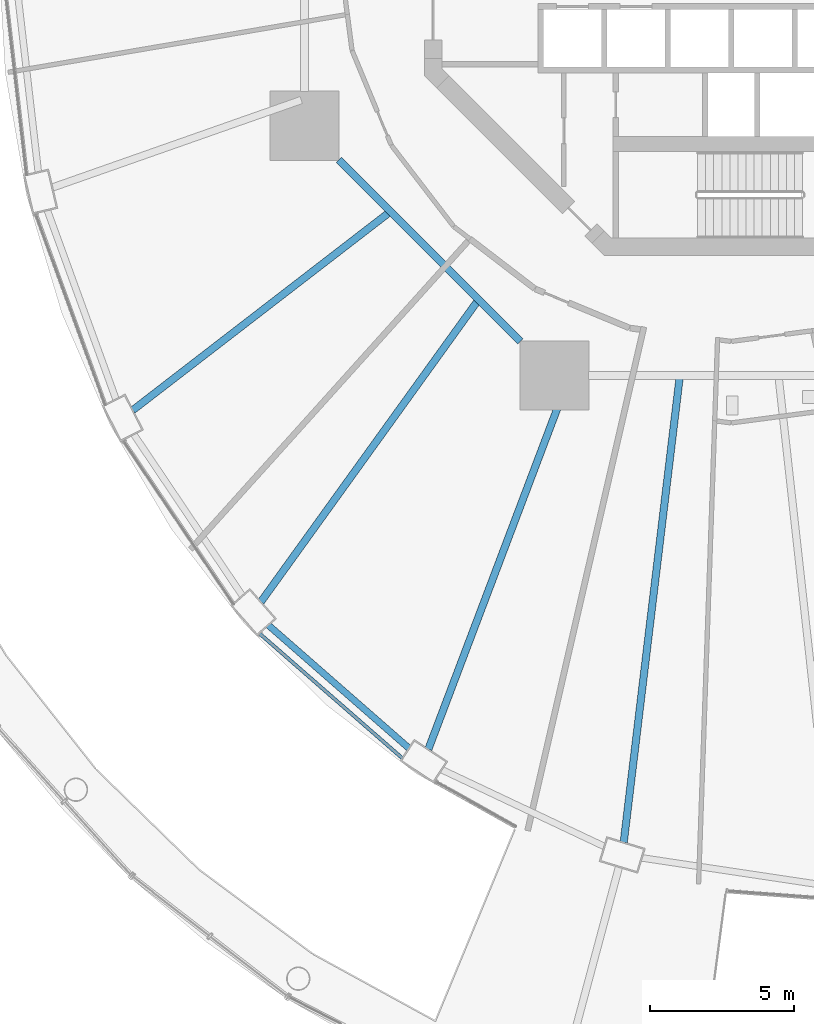
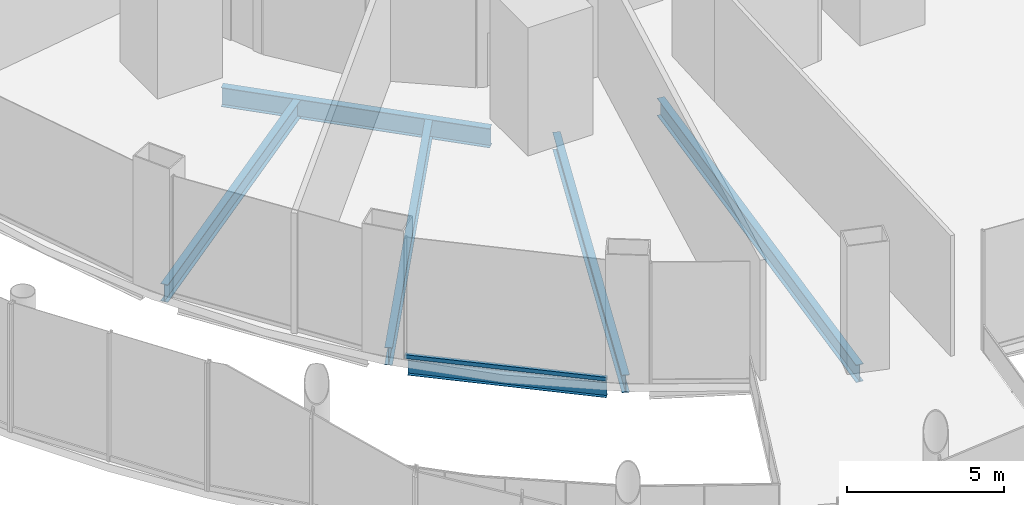
# One storey, part 7 of 47: 6 beams, 1 member, 1 element without a shape of its own.
"""IFC4 building model written with IfcOpenShell, lengths in metres."""

from ifc_helpers import new_model, si_unit, direction, frame, origin, origin_2d, place, context, subcontext, project, spatial, hollow_rectangle, i_section, extrude, material, layer, layer_set, material_profile, profile_set, type_object, element, aggregate, save


model = new_model("IFC4")

# Units and contexts
model_context = context("Model", 3, precision=1e-05, world=origin(), true_north=direction((0.0, 1.0)))
body_context = subcontext(model_context, "Body", "Model", "MODEL_VIEW")
ifc_project = project(units=[si_unit("LENGTHUNIT", "METRE"), si_unit("AREAUNIT", "SQUARE_METRE"), si_unit("VOLUMEUNIT", "CUBIC_METRE"), si_unit("PLANEANGLEUNIT", "RADIAN"), si_unit("MASSUNIT", "GRAM", prefix="KILO")], contexts=[model_context])

# Site, building, storey
site_placement = place(None, origin())
site = spatial("IfcSite", under=ifc_project, at=site_placement, CompositionType="ELEMENT")
building_placement = place(site_placement, origin())
building = spatial("IfcBuilding", under=site, at=building_placement, Name="Nagisa Residences", CompositionType="ELEMENT")
storey_placement = place(building_placement, frame((0.0, 0.0, 17.0)))
storey = spatial("IfcBuildingStorey", under=building, at=storey_placement, Name="L03", CompositionType="ELEMENT", Elevation=17.0)

# Curtain wall, member
ifc_material_1 = material(Name="Stainless steel curtain wall system", Category="steel")
ifc_layer = layer(ifc_material_1, 0.159912109375)
ifc_layer_set = layer_set([ifc_layer], Name="CW6 CURTAIN WALL")
curtain_wall_type = type_object("IfcCurtainWallType", Name="CW6 CURTAIN WALL", PredefinedType="NOTDEFINED", material=ifc_layer_set)
curtain_wall_placement = place(storey_placement, origin())
curtain_wall = element("IfcCurtainWall", 1, at=curtain_wall_placement, inside=storey, type_object=curtain_wall_type, Name="cw:CW6:L03:30", PredefinedType="NOTDEFINED")
ifc_material_2 = material(Name="Stainless steel", Category="steel")
ifc_material_profile_1 = material_profile(ifc_material_2, hollow_rectangle(XDim=0.1201171875, YDim=0.14990234375, WallThickness=0.008056640625, at=origin_2d()), Name="CW6 TRANSOM 120x150")
ifc_profile_set_1 = profile_set([ifc_material_profile_1], Name="Stainless steel")
member_type = type_object("IfcMemberType", Name="CW6 TRANSOM 120x150", PredefinedType="USERDEFINED", material=ifc_profile_set_1)
member_placement = place(storey_placement, frame((-16.326171875, -23.734619140625, 0.074951171875), z_axis=(0.753255020636, -0.657728571591, 0.0), x_axis=(0.657728571591, 0.753255020636, 0.0)))
member = element("IfcMember", 2, at=member_placement, type_object=member_type, Name="CW6 transom", ObjectType="TRANSOM", PredefinedType="USERDEFINED", context=body_context, shape_type="SweptSolid", body=[
    extrude(hollow_rectangle(XDim=0.1201171875, YDim=0.14990234375, WallThickness=0.008056640625, at=origin_2d()), origin(), (0.0, 0.0, 1.0), 6.5732421875),
])
aggregate(curtain_wall, [member])

# Beams
ifc_material_3 = material(Name="Steel ASTM A572 Gr 50", Category="steel")
ifc_material_profile_2 = material_profile(ifc_material_3, i_section(OverallWidth=0.264892578125, OverallDepth=0.7529296875, WebThickness=0.01318359375, FlangeThickness=0.01708984375, at=origin_2d()), Name="W760x147")
ifc_profile_set_2 = profile_set([ifc_material_profile_2], Name="Steel ASTM A572 Gr 50")
beam_type_1 = type_object("IfcBeamType", Name="Inner ring beam W760x147", PredefinedType="BEAM", material=ifc_profile_set_2)
beam_1_placement = place(storey_placement, frame((-13.59619140625, -7.308837890625, -0.676513671875), z_axis=(0.707106781187, -0.707106781187, 0.0), x_axis=(0.707106781187, 0.707106781187, 0.0)))
element("IfcBeam", 3, at=beam_1_placement, inside=storey, type_object=beam_type_1, Name="beam:L03:ib5", PredefinedType="BEAM", context=body_context, shape_type="SweptSolid", body=[
    extrude(i_section(OverallWidth=0.264892578125, OverallDepth=0.7529296875, WebThickness=0.01318359375, FlangeThickness=0.01708984375, at=origin_2d()), origin(), (0.0, 0.0, 1.0), 8.8916015625),
])
ifc_material_4 = material(Name="Steel ASTM A572 Gr 50", Category="steel")
ifc_material_profile_3 = material_profile(ifc_material_4, i_section(OverallWidth=0.22802734375, OverallDepth=0.60302734375, WebThickness=0.010498046875, FlangeThickness=0.014892578125, at=origin_2d()), Name="W610x101")
ifc_profile_set_3 = profile_set([ifc_material_profile_3], Name="Steel ASTM A572 Gr 50")
beam_type_2 = type_object("IfcBeamType", Name="Perimeter ring beam W610x101", PredefinedType="BEAM", material=ifc_profile_set_3)
beam_2_placement = place(storey_placement, frame((-16.0361328125, -23.432861328125, -0.6015625), z_axis=(0.752574357292, -0.658507279191, 0.0), x_axis=(0.658507279191, 0.752574357292, 0.0)))
element("IfcBeam", 4, at=beam_2_placement, inside=storey, type_object=beam_type_2, Name="beam:L03:pb16", PredefinedType="BEAM", context=body_context, shape_type="SweptSolid", body=[
    extrude(i_section(OverallWidth=0.22802734375, OverallDepth=0.60302734375, WebThickness=0.010498046875, FlangeThickness=0.014892578125, at=origin_2d()), origin(), (0.0, 0.0, 1.0), 6.47021484375),
])
ifc_material_5 = material(Name="Steel ASTM A572 Gr 50", Category="steel")
ifc_material_profile_4 = material_profile(ifc_material_5, i_section(OverallWidth=0.25390625, OverallDepth=0.68408203125, WebThickness=0.012451171875, FlangeThickness=0.018798828125, at=origin_2d()), Name="W690x140")
ifc_profile_set_4 = profile_set([ifc_material_profile_4], Name="Steel ASTM A572 Gr 50")
beam_type_3 = type_object("IfcBeamType", Name="Radial beam W690x140", PredefinedType="BEAM", material=ifc_profile_set_4)
beam_3_placement = place(storey_placement, frame((-20.73486328125, -15.982666015625, -0.64208984375), z_axis=(0.792016146736, 0.610500141941, 0.0), x_axis=(-0.610500141941, 0.792016146736, 0.0)))
element("IfcBeam", 5, at=beam_3_placement, inside=storey, type_object=beam_type_3, Name="beam:L03:rb15", PredefinedType="BEAM", context=body_context, shape_type="SweptSolid", body=[
    extrude(i_section(OverallWidth=0.25390625, OverallDepth=0.68408203125, WebThickness=0.012451171875, FlangeThickness=0.018798828125, at=origin_2d()), origin(), (0.0, 0.0, 1.0), 11.160888671875),
])
beam_4_placement = place(storey_placement, frame((-16.29443359375, -22.62255859375, -0.64208984375), z_axis=(0.58445507622, 0.811426068031, 0.0), x_axis=(-0.811426068031, 0.58445507622, 0.0)))
element("IfcBeam", 6, at=beam_4_placement, inside=storey, type_object=beam_type_3, Name="beam:L03:rb16", PredefinedType="BEAM", context=body_context, shape_type="SweptSolid", body=[
    extrude(i_section(OverallWidth=0.25390625, OverallDepth=0.68408203125, WebThickness=0.012451171875, FlangeThickness=0.018798828125, at=origin_2d()), origin(), (0.0, 0.0, 1.0), 12.78955078125),
])
beam_5_placement = place(storey_placement, frame((-10.493896484375, -27.7333984375, -0.64208984375), z_axis=(0.353887892206, 0.935287848606, 0.0), x_axis=(-0.935287848606, 0.353887892206, 0.0)))
element("IfcBeam", 7, at=beam_5_placement, inside=storey, type_object=beam_type_3, Name="beam:L03:rb17", PredefinedType="BEAM", context=body_context, shape_type="SweptSolid", body=[
    extrude(i_section(OverallWidth=0.25390625, OverallDepth=0.68408203125, WebThickness=0.012451171875, FlangeThickness=0.018798828125, at=origin_2d()), origin(), (0.0, 0.0, 1.0), 13.725830078125),
])
beam_6_placement = place(storey_placement, frame((-3.72412109375, -30.958740234375, -0.64208984375), z_axis=(0.119431411612, 0.992842453726, 0.0), x_axis=(-0.992842453726, 0.119431411612, 0.0)))
element("IfcBeam", 8, at=beam_6_placement, inside=storey, type_object=beam_type_3, Name="beam:L03:rb18", PredefinedType="BEAM", context=body_context, shape_type="SweptSolid", body=[
    extrude(i_section(OverallWidth=0.25390625, OverallDepth=0.68408203125, WebThickness=0.012451171875, FlangeThickness=0.018798828125, at=origin_2d()), origin(), (0.0, 0.0, 1.0), 16.1796875),
])

save(model, "model.ifc")
